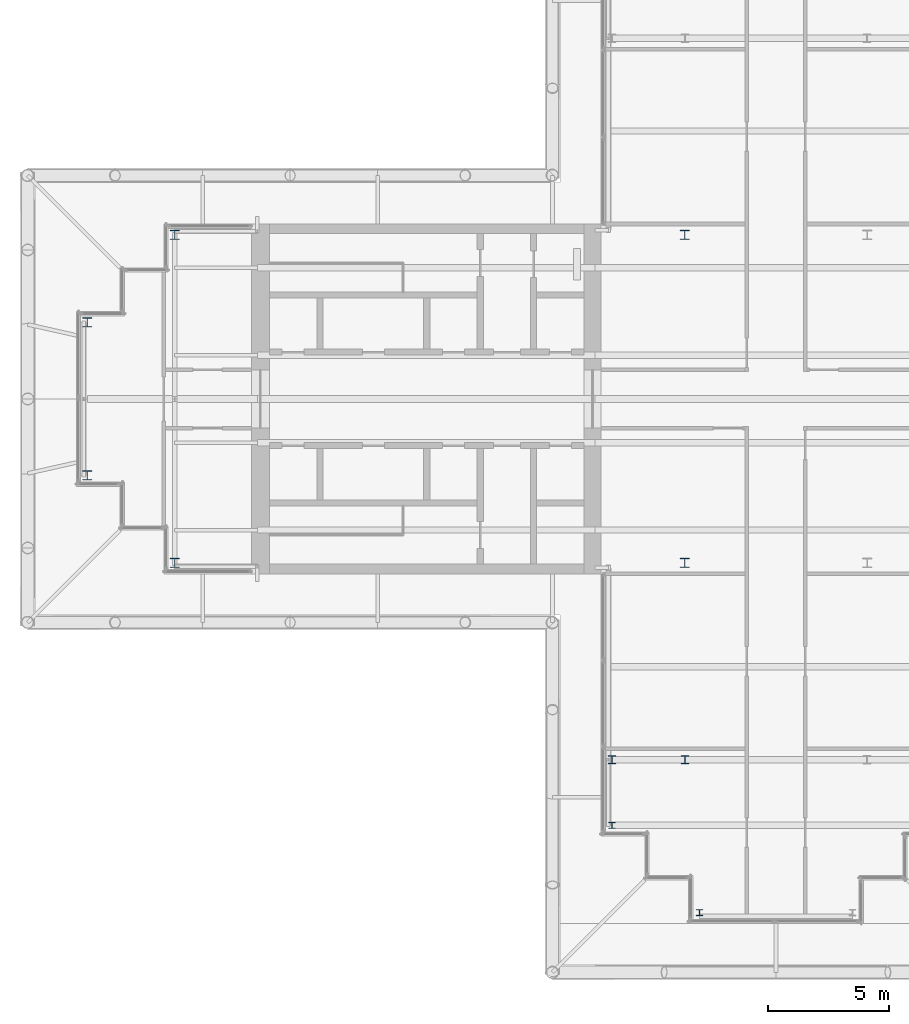
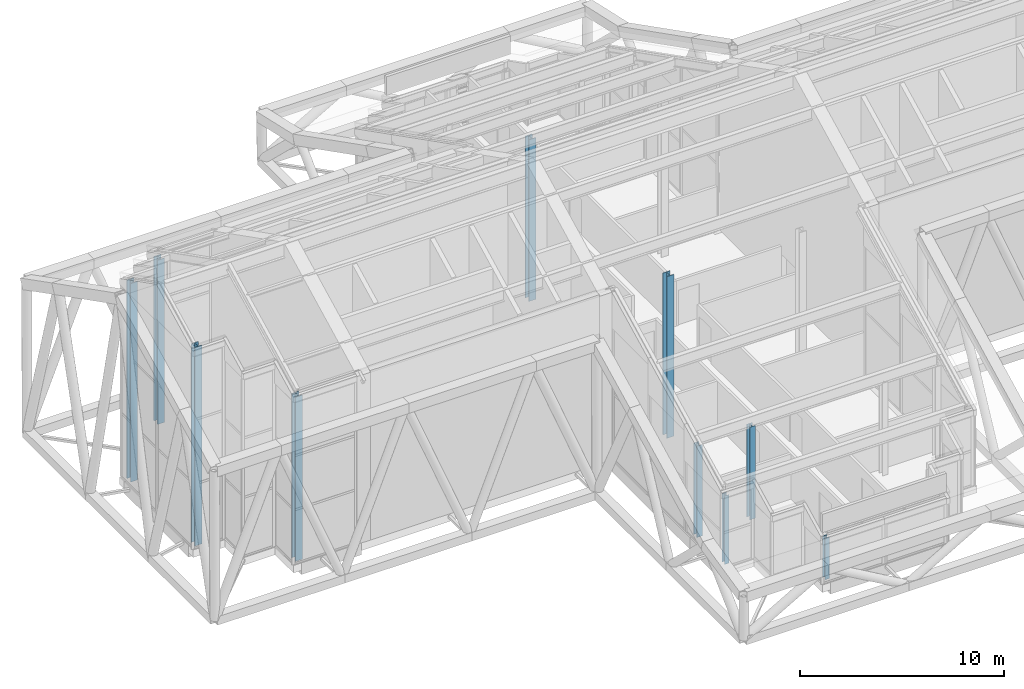
# One storey, part 1 of 25: 10 columns.
"""IFC4 building model written with IfcOpenShell, lengths in metres."""

import ifcopenshell
import ifcopenshell.guid

model = None  # the IFC model being written
_history = None  # IfcOwnerHistory: only IFC2X3 demands one
_inside = {}  # id of a spatial element -> (the spatial element, [elements in it])
_under = {}  # id of a project, library or spatial element -> (it, [spatial elements below it])
_declared = {}  # id of a project -> (the project, [libraries it declares])
_typed = {}  # id of a type object -> (the type object, [elements of that type])
_made_of = {}  # id of a material, layer set ... -> (it, [elements and type objects made of it])


def new_model(schema):
    """Start an empty IFC model of exactly this schema.

    Asked for "IFC4X3", IfcOpenShell would pick the latest addendum, in which some entities
    have other attributes; the version numbers below select the first issue.
    IFC2X3 requires an IfcOwnerHistory on every rooted entity: one is made here for all.
    """
    global model, _history
    if schema == "IFC4X3":
        model = ifcopenshell.file(schema_version=(4, 3, 0, 0))
    else:
        model = ifcopenshell.file(schema=schema)
    _inside.clear()
    _under.clear()
    _declared.clear()
    _typed.clear()
    _made_of.clear()
    _history = None
    if model.schema == "IFC2X3":
        org = make("IfcOrganization", Name="unknown")
        user = make(
            "IfcPersonAndOrganization",
            ThePerson=make("IfcPerson", FamilyName="unknown"),
            TheOrganization=org,
        )
        app = make(
            "IfcApplication",
            ApplicationDeveloper=org,
            Version="unknown",
            ApplicationFullName="unknown",
            ApplicationIdentifier="unknown",
        )
        _history = make(
            "IfcOwnerHistory",
            OwningUser=user,
            OwningApplication=app,
            ChangeAction="ADDED",
            CreationDate=0,
        )
    return model


def make(cls, **values):
    """One entity of the class cls with the attributes given. An attribute that is None is left unset."""
    return model.create_entity(
        cls, **{name: value for name, value in values.items() if value is not None}
    )


def rooted(cls, **values):
    """An entity with a GlobalId (a new one), such as an element, a storey or a relation."""
    return make(cls, GlobalId=ifcopenshell.guid.new(), OwnerHistory=_history, **values)


def si_unit(unit_type, name, prefix=None):
    """IfcSIUnit, for example si_unit("LENGTHUNIT", "METRE", prefix="MILLI")."""
    return make("IfcSIUnit", UnitType=unit_type, Prefix=prefix, Name=name)


def assignment(units):
    """IfcUnitAssignment: the units of a project."""
    return None if units is None else make("IfcUnitAssignment", Units=units)


def point(xyz):
    """IfcCartesianPoint."""
    return None if xyz is None else make("IfcCartesianPoint", Coordinates=xyz)


def direction(xyz):
    """IfcDirection."""
    return None if xyz is None else make("IfcDirection", DirectionRatios=xyz)


def frame(location, z_axis=None, x_axis=None):
    """IfcAxis2Placement3D, a coordinate frame: its origin and axes. An axis left out is left unset."""
    return make(
        "IfcAxis2Placement3D",
        Location=point(location),
        Axis=direction(z_axis),
        RefDirection=direction(x_axis),
    )


def frame_2d(location, x_axis=None):
    """IfcAxis2Placement2D, a coordinate frame in the plane: its origin and x axis."""
    return make(
        "IfcAxis2Placement2D", Location=point(location), RefDirection=direction(x_axis)
    )


def origin():
    """The frame at (0, 0, 0) with its axes left unset."""
    return frame((0.0, 0.0, 0.0))


def origin_2d():
    """The frame at (0, 0) in the plane with its x axis left unset."""
    return frame_2d((0.0, 0.0))


def place(relative_to, where):
    """IfcLocalPlacement: puts the frame where relative to a parent placement (None: the world)."""
    return make(
        "IfcLocalPlacement", PlacementRelTo=relative_to, RelativePlacement=where
    )


def context(
    kind, dimensions, precision=None, world=None, true_north=None, identifier=None
):
    """IfcGeometricRepresentationContext, for example the 3D "Model" context."""
    return make(
        "IfcGeometricRepresentationContext",
        ContextIdentifier=identifier,
        ContextType=kind,
        CoordinateSpaceDimension=dimensions,
        Precision=precision,
        WorldCoordinateSystem=world,
        TrueNorth=true_north,
    )


def subcontext(parent, identifier, kind, view, scale=None):
    """IfcGeometricRepresentationSubContext, for example "Body" below "Model"."""
    return make(
        "IfcGeometricRepresentationSubContext",
        ContextIdentifier=identifier,
        ContextType=kind,
        ParentContext=parent,
        TargetScale=scale,
        TargetView=view,
    )


def project(units=None, contexts=None):
    """IfcProject with its units and contexts."""
    return rooted(
        "IfcProject",
        Name="project",
        RepresentationContexts=contexts,
        UnitsInContext=assignment(units),
    )


def spatial(cls, under=None, at=None, **own):
    """A site, building, storey or space (cls), placed at a placement, below another one or the project."""
    s = rooted(cls, ObjectPlacement=at, **own)
    if under is not None:
        _under.setdefault(under.id(), (under, []))[1].append(s)
    return s


def profile(cls, at=None, kind="AREA", **sizes):
    """A parametric profile (cls). Its sizes go by their IFC names, for example OverallWidth=200.0."""
    return make(cls, ProfileType=kind, Position=at, **sizes)


def i_section(**sizes):
    """IfcIShapeProfileDef."""
    return profile("IfcIShapeProfileDef", **sizes)


def extrude(swept, where, along, depth):
    """IfcExtrudedAreaSolid: the profile swept, set in the frame where, extruded along a direction by depth."""
    return make(
        "IfcExtrudedAreaSolid",
        SweptArea=swept,
        Position=where,
        ExtrudedDirection=direction(along),
        Depth=depth,
    )


def shape(context_of_items, identifier, shape_type, items):
    """IfcShapeRepresentation: the items that make up one representation, for example the "Body"."""
    return make(
        "IfcShapeRepresentation",
        ContextOfItems=context_of_items,
        RepresentationIdentifier=identifier,
        RepresentationType=shape_type,
        Items=items,
    )


def material(Name=None, Category=None):
    """IfcMaterial."""
    return make("IfcMaterial", Name=Name, Category=Category)


def material_profile(
    of_material, cross_section, Name=None, Category=None, Priority=None
):
    """IfcMaterialProfile: a cross section and its material."""
    return make(
        "IfcMaterialProfile",
        Name=Name,
        Material=of_material,
        Profile=cross_section,
        Priority=Priority,
        Category=Category,
    )


def profile_set(profiles, Name=None, composite=None):
    """IfcMaterialProfileSet."""
    return make(
        "IfcMaterialProfileSet",
        Name=Name,
        MaterialProfiles=profiles,
        CompositeProfile=composite,
    )


def made_of(thing, what):
    """Note that an element or type object is made of a material, layer set ...; save() writes the relation."""
    if what is not None:
        _made_of.setdefault(what.id(), (what, []))[1].append(thing)
    return thing


def type_object(cls, material=None, **own):
    """A type object (cls), such as IfcWallType, which elements share."""
    return made_of(rooted(cls, **own), material)


def element(
    cls,
    number,
    at=None,
    inside=None,
    cuts=None,
    type_object=None,
    material=None,
    context=None,
    identifier="Body",
    shape_type=None,
    held_by="IfcProductDefinitionShape",
    body=None,
    shapes=None,
    **own,
):
    """One element of the class cls, such as IfcWall. Its Tag is "e" and its number.

    at: its placement. inside: the storey or other place that contains it. cuts: it is an
    opening in that element (IfcRelVoidsElement). A single representation is given by context,
    identifier, shape_type and body (its items); several are given by shapes. held_by: the class
    of the entity that holds the representations. save() writes the other relations.
    """
    e = rooted(cls, Tag="e%d" % number, ObjectPlacement=at, **own)
    if body is not None:
        shapes = [shape(context, identifier, shape_type, body)]
    if shapes is not None:
        e.Representation = make(held_by, Representations=shapes)
    if inside is not None:
        _inside.setdefault(inside.id(), (inside, []))[1].append(e)
    if cuts is not None:
        rooted(
            "IfcRelVoidsElement", RelatingBuildingElement=cuts, RelatedOpeningElement=e
        )
    if type_object is not None:
        _typed.setdefault(type_object.id(), (type_object, []))[1].append(e)
    return made_of(e, material)


def aggregate(whole, parts):
    """IfcRelAggregates: a whole, such as a stair, and the parts it consists of."""
    return rooted("IfcRelAggregates", RelatingObject=whole, RelatedObjects=parts)


def save(model, path):
    """Write the relations noted so far, then the file.

    IfcRelAggregates (storeys below a building ...), IfcRelContainedInSpatialStructure (elements
    in a storey), IfcRelDefinesByType, IfcRelAssociatesMaterial and IfcRelDeclares: one each for
    every whole, place, type object, material and project.
    """
    for whole, parts in _under.values():
        aggregate(whole, parts)
    for where, things in _inside.values():
        rooted(
            "IfcRelContainedInSpatialStructure",
            RelatedElements=things,
            RelatingStructure=where,
        )
    for kind, things in _typed.values():
        rooted("IfcRelDefinesByType", RelatedObjects=things, RelatingType=kind)
    for what, things in _made_of.values():
        rooted("IfcRelAssociatesMaterial", RelatedObjects=things, RelatingMaterial=what)
    for by, libraries in _declared.values():
        rooted("IfcRelDeclares", RelatingContext=by, RelatedDefinitions=libraries)
    model.write(path)


model = new_model("IFC4")

# Units and contexts
model_context = context("Model", 3, precision=1e-05, world=origin(), true_north=direction((0.0, 1.0)))
body_context = subcontext(model_context, "Body", "Model", "MODEL_VIEW")
ifc_project = project(units=[si_unit("LENGTHUNIT", "METRE"), si_unit("AREAUNIT", "SQUARE_METRE"), si_unit("VOLUMEUNIT", "CUBIC_METRE"), si_unit("PLANEANGLEUNIT", "RADIAN"), si_unit("MASSUNIT", "GRAM", prefix="KILO")], contexts=[model_context])

# Site, building, storey
site_placement = place(None, origin())
site = spatial("IfcSite", under=ifc_project, at=site_placement, CompositionType="ELEMENT")
building_placement = place(site_placement, origin())
building = spatial("IfcBuilding", under=site, at=building_placement, Name="Fustian Cross Tower", CompositionType="ELEMENT")
storey_placement = place(building_placement, frame((0.0, 0.0, 247.5)))
storey = spatial("IfcBuildingStorey", under=building, at=storey_placement, Name="L77", CompositionType="ELEMENT", Elevation=247.5)

# Columns
ifc_material_1 = material(Name="Steel S355", Category="steel")
ifc_material_profile_1 = material_profile(ifc_material_1, i_section(OverallWidth=0.25634765625, OverallDepth=0.26025390625, WebThickness=0.01025390625, FlangeThickness=0.017333984375, FilletRadius=0.0126953125, at=origin_2d()), Name="UC 254x254x89")
ifc_profile_set_1 = profile_set([ifc_material_profile_1], Name="Steel S355")
column_type_1 = type_object("IfcColumnType", Name="COLUMN UC 254x254x89 S355", PredefinedType="COLUMN", material=ifc_profile_set_1)
column_1_placement = place(storey_placement, frame((-6.75, -17.550048828125, 0.0), z_axis=(0.0, 0.0, 1.0), x_axis=(1.0, 0.0, 0.0)))
element("IfcColumn", 1, at=column_1_placement, inside=storey, type_object=column_type_1, Name="COLUMN 017", PredefinedType="COLUMN", context=body_context, shape_type="SweptSolid", body=[
    extrude(i_section(OverallWidth=0.25634765625, OverallDepth=0.26025390625, WebThickness=0.01025390625, FlangeThickness=0.017333984375, FilletRadius=0.0126953125, at=origin_2d()), origin(), (0.0, 0.0, 1.0), 4.086669921875),
])
column_2_placement = place(storey_placement, frame((-3.14990234375, -21.14990234375, 0.0), z_axis=(0.0, 0.0, 1.0), x_axis=(1.0, 0.0, 0.0)))
element("IfcColumn", 2, at=column_2_placement, inside=storey, type_object=column_type_1, Name="COLUMN 030", PredefinedType="COLUMN", context=body_context, shape_type="SweptSolid", body=[
    extrude(i_section(OverallWidth=0.25634765625, OverallDepth=0.26025390625, WebThickness=0.01025390625, FlangeThickness=0.017333984375, FilletRadius=0.0126953125, at=origin_2d()), origin(), (0.0, 0.0, 1.0), 2.47900390625),
])
ifc_material_2 = material(Name="Steel S355", Category="steel")
ifc_material_profile_2 = material_profile(ifc_material_2, i_section(OverallWidth=0.30908203125, OverallDepth=0.320556640625, WebThickness=0.013916015625, FlangeThickness=0.021728515625, FilletRadius=0.01513671875, at=origin_2d()), Name="UC 305x305x137")
ifc_profile_set_2 = profile_set([ifc_material_profile_2], Name="Steel S355")
column_type_2 = type_object("IfcColumnType", Name="COLUMN UC 305x305x137 S355", PredefinedType="COLUMN", material=ifc_profile_set_2)
column_3_placement = place(storey_placement, frame((-6.75, -14.85009765625, 0.0), z_axis=(0.0, 0.0, 1.0), x_axis=(1.0, 0.0, 0.0)))
element("IfcColumn", 3, at=column_3_placement, inside=storey, type_object=column_type_2, Name="COLUMN 018", PredefinedType="COLUMN", context=body_context, shape_type="SweptSolid", body=[
    extrude(i_section(OverallWidth=0.30908203125, OverallDepth=0.320556640625, WebThickness=0.013916015625, FlangeThickness=0.021728515625, FilletRadius=0.01513671875, at=origin_2d()), origin(), (0.0, 0.0, 1.0), 5.461669921875),
])
column_4_placement = place(storey_placement, frame((-3.75, -14.85009765625, 0.0), z_axis=(0.0, 0.0, 1.0), x_axis=(1.0, 0.0, 0.0)))
element("IfcColumn", 4, at=column_4_placement, inside=storey, type_object=column_type_2, Name="COLUMN 025", PredefinedType="COLUMN", context=body_context, shape_type="SweptSolid", body=[
    extrude(i_section(OverallWidth=0.30908203125, OverallDepth=0.320556640625, WebThickness=0.013916015625, FlangeThickness=0.021728515625, FilletRadius=0.01513671875, at=origin_2d()), origin(), (0.0, 0.0, 1.0), 5.53759765625),
])
ifc_material_3 = material(Name="Steel S355", Category="steel")
ifc_material_profile_3 = material_profile(ifc_material_3, i_section(OverallWidth=0.39892578125, OverallDepth=0.3935546875, WebThickness=0.022705078125, FlangeThickness=0.03662109375, FilletRadius=0.01513671875, at=origin_2d()), Name="UC 356x406x287")
ifc_profile_set_3 = profile_set([ifc_material_profile_3], Name="Steel S355")
column_type_3 = type_object("IfcColumnType", Name="COLUMN UC 356x406x287 S355", PredefinedType="COLUMN", material=ifc_profile_set_3)
for number, where, z_axis, x_axis, name in (
    (5, (-28.35009765625, -3.14990234375, 0.0), (0.0, 0.0, 1.0), (1.0, 0.0, 0.0), "COLUMN 008"),
    (6, (-28.35009765625, 3.14990234375, 0.0), (0.0, 0.0, 1.0), (1.0, 0.0, 0.0), "COLUMN 009"),
):
    element("IfcColumn", number, at=place(storey_placement, frame(where, z_axis=z_axis, x_axis=x_axis)), inside=storey, type_object=column_type_3, Name=name, PredefinedType="COLUMN", context=body_context, shape_type="SweptSolid", body=[
        extrude(i_section(OverallWidth=0.39892578125, OverallDepth=0.3935546875, WebThickness=0.022705078125, FlangeThickness=0.03662109375, FilletRadius=0.01513671875, at=origin_2d()), origin(), (0.0, 0.0, 1.0), 11.861328125),
    ])
for number, where, z_axis, x_axis, name in (
    (7, (-24.75, -6.75, 0.0), (0.0, 0.0, 1.0), (1.0, 0.0, 0.0), "COLUMN 011"),
    (8, (-24.75, 6.75, 0.0), (0.0, 0.0, 1.0), (1.0, 0.0, 0.0), "COLUMN 012"),
):
    element("IfcColumn", number, at=place(storey_placement, frame(where, z_axis=z_axis, x_axis=x_axis)), inside=storey, type_object=column_type_3, Name=name, PredefinedType="COLUMN", context=body_context, shape_type="SweptSolid", body=[
        extrude(i_section(OverallWidth=0.39892578125, OverallDepth=0.3935546875, WebThickness=0.022705078125, FlangeThickness=0.03662109375, FilletRadius=0.01513671875, at=origin_2d()), origin(), (0.0, 0.0, 1.0), 9.812255859375),
    ])
for number, where, z_axis, x_axis, name in (
    (9, (-3.75, -6.75, 0.0), (0.0, 0.0, 1.0), (1.0, 0.0, 0.0), "COLUMN 026"),
    (10, (-3.75, 6.75, 0.0), (0.0, 0.0, 1.0), (1.0, 0.0, 0.0), "COLUMN 027"),
):
    element("IfcColumn", number, at=place(storey_placement, frame(where, z_axis=z_axis, x_axis=x_axis)), inside=storey, type_object=column_type_3, Name=name, PredefinedType="COLUMN", context=body_context, shape_type="SweptSolid", body=[
        extrude(i_section(OverallWidth=0.39892578125, OverallDepth=0.3935546875, WebThickness=0.022705078125, FlangeThickness=0.03662109375, FilletRadius=0.01513671875, at=origin_2d()), origin(), (0.0, 0.0, 1.0), 9.66259765625),
    ])

save(model, "model.ifc")
